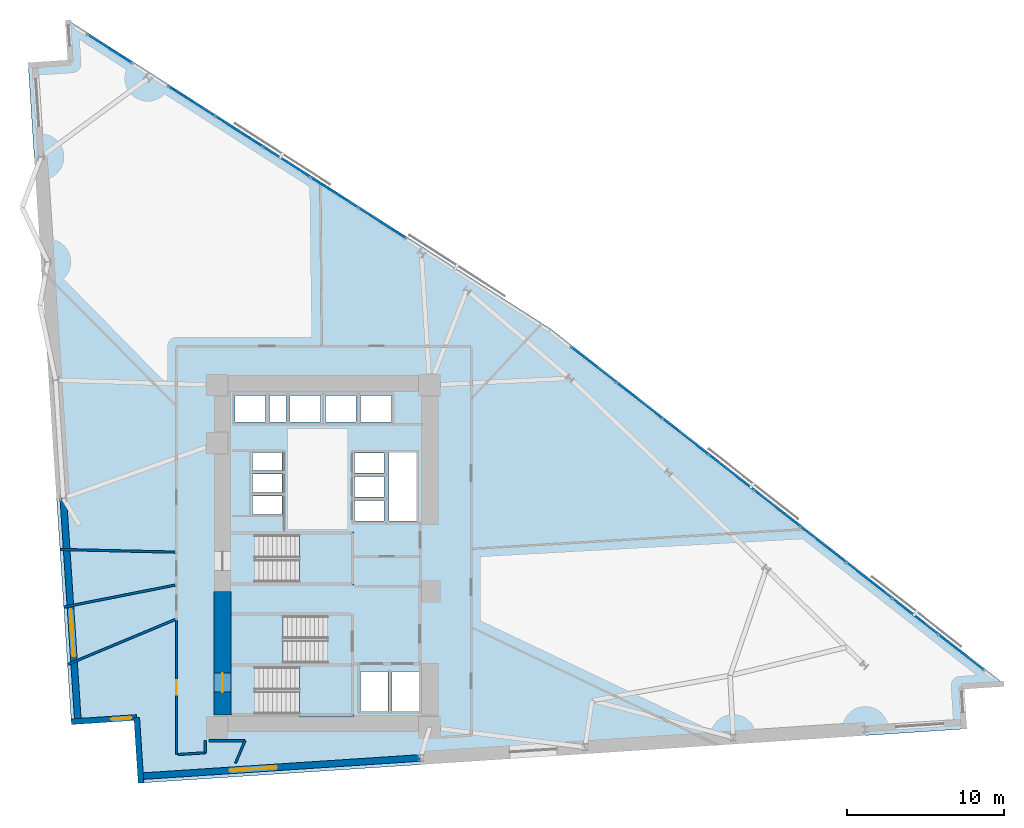
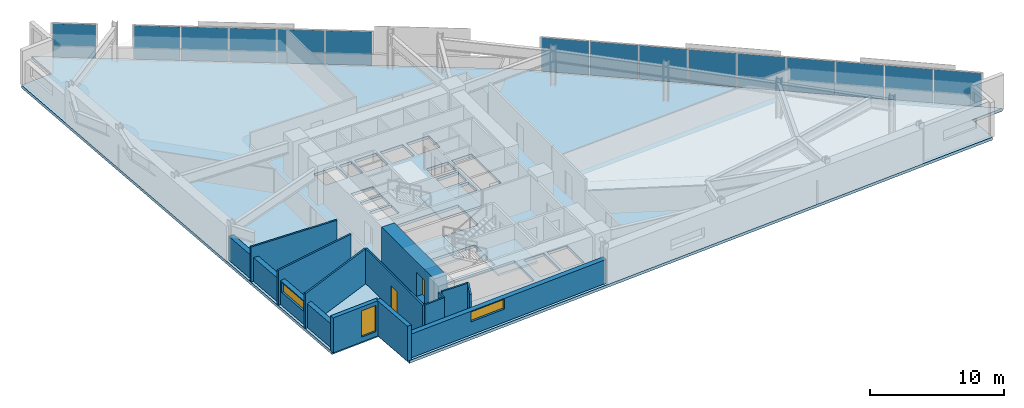
# One storey, part 10 of 15: 15 plates, 13 walls, 4 slabs, 3 windows, 2 doors, 5 openings, 6 elements without a shape of their own.
"""IFC4 building model written with IfcOpenShell, lengths in metres."""

from ifc_helpers import new_model, si_unit, direction, frame, frame_2d, origin, origin_2d, place, context, subcontext, project, spatial, polyline, rectangle, outline, extrude, material, layer, layer_set, type_object, element, fill, aggregate, save


model = new_model("IFC4")

# Units and contexts
model_context = context("Model", 3, precision=1e-05, world=origin(), true_north=direction((0.0, 1.0)))
body_context = subcontext(model_context, "Body", "Model", "MODEL_VIEW")
ifc_project = project(units=[si_unit("LENGTHUNIT", "METRE"), si_unit("AREAUNIT", "SQUARE_METRE"), si_unit("VOLUMEUNIT", "CUBIC_METRE"), si_unit("PLANEANGLEUNIT", "RADIAN"), si_unit("MASSUNIT", "GRAM", prefix="KILO")], contexts=[model_context])

# Site, building, storey
site_placement = place(None, origin())
site = spatial("IfcSite", under=ifc_project, at=site_placement, CompositionType="ELEMENT")
building_placement = place(site_placement, origin())
building = spatial("IfcBuilding", under=site, at=building_placement, Name="Narakoshi Arena Tower", CompositionType="ELEMENT")
storey_placement = place(building_placement, frame((0.0, 0.0, 92.10009765625)))
storey = spatial("IfcBuildingStorey", under=building, at=storey_placement, Name="L24", CompositionType="ELEMENT", Elevation=92.10009765625)

# Curtain wall, plates
ifc_material_1 = material(Name="Anodised bronze aluminium 6063-T6", Category="aluminium")
curtain_wall_type = type_object("IfcCurtainWallType", Name="CW-HYP-LOW", PredefinedType="NOTDEFINED", material=ifc_material_1)
curtain_wall_1_placement = place(storey_placement, origin())
curtain_wall_1 = element("IfcCurtainWall", 1, at=curtain_wall_1_placement, inside=storey, type_object=curtain_wall_type, Name="L24 Folded Hypotenuse Curtain Wall 1-1", PredefinedType="NOTDEFINED")
ifc_material_2 = material(Name="Bronze-tinted low-E laminated glass", Category="glass")
ifc_layer_1 = layer(ifc_material_2, 0.031982421875)
ifc_layer_set_1 = layer_set([ifc_layer_1], Name="Bronze-tinted low-E laminated glass")
plate_type = type_object("IfcPlateType", Name="PLT-GLZ-32", PredefinedType="CURTAIN_PANEL", material=ifc_layer_set_1)
plate_1_placement = place(storey_placement, frame((119.38427734375, 39.469970703125, 0.06494140625), z_axis=(0.0, 0.0, 1.0), x_axis=(-0.787388705321, 0.616456832822, 0.0)))
plate_1 = element("IfcPlate", 2, at=plate_1_placement, type_object=plate_type, Name="CW-01 panel 1.1", PredefinedType="CURTAIN_PANEL", context=body_context, shape_type="SweptSolid", body=[
    extrude(rectangle(XDim=3.603759765625, YDim=0.031982421875, at=origin_2d()), origin(), (0.0, 0.0, 1.0), 3.070068359375),
])
plate_2_placement = place(storey_placement, frame((116.472900390625, 41.749267578125, 0.06494140625), z_axis=(0.0, 0.0, 1.0), x_axis=(-0.787388705321, 0.616456832822, 0.0)))
plate_2 = element("IfcPlate", 3, at=plate_2_placement, type_object=plate_type, Name="CW-01 panel 2.1", PredefinedType="CURTAIN_PANEL", context=body_context, shape_type="SweptSolid", body=[
    extrude(rectangle(XDim=3.64111328125, YDim=0.031982421875, at=origin_2d()), origin(), (0.0, 0.0, 1.0), 3.070068359375),
])
plate_3_placement = place(storey_placement, frame((113.546875, 44.0400390625, 0.06494140625), z_axis=(0.0, 0.0, 1.0), x_axis=(-0.787388705321, 0.616456832822, 0.0)))
plate_3 = element("IfcPlate", 4, at=plate_3_placement, type_object=plate_type, Name="CW-01 panel 3.1", PredefinedType="CURTAIN_PANEL", context=body_context, shape_type="SweptSolid", body=[
    extrude(rectangle(XDim=3.64111328125, YDim=0.031982421875, at=origin_2d()), origin(), (0.0, 0.0, 1.0), 3.070068359375),
])
plate_4_placement = place(storey_placement, frame((110.620849609375, 46.3310546875, 0.06494140625), z_axis=(0.0, 0.0, 1.0), x_axis=(-0.787388705321, 0.616456832822, 0.0)))
plate_4 = element("IfcPlate", 5, at=plate_4_placement, type_object=plate_type, Name="CW-01 panel 4.1", PredefinedType="CURTAIN_PANEL", context=body_context, shape_type="SweptSolid", body=[
    extrude(rectangle(XDim=3.64111328125, YDim=0.031982421875, at=origin_2d()), origin(), (0.0, 0.0, 1.0), 3.070068359375),
])
plate_5_placement = place(storey_placement, frame((107.69482421875, 48.621826171875, 0.06494140625), z_axis=(0.0, 0.0, 1.0), x_axis=(-0.787388705321, 0.616456832822, 0.0)))
plate_5 = element("IfcPlate", 6, at=plate_5_placement, type_object=plate_type, Name="CW-01 panel 5.1", PredefinedType="CURTAIN_PANEL", context=body_context, shape_type="SweptSolid", body=[
    extrude(rectangle(XDim=3.64111328125, YDim=0.031982421875, at=origin_2d()), origin(), (0.0, 0.0, 1.0), 3.070068359375),
])
plate_6_placement = place(storey_placement, frame((104.768798828125, 50.91259765625, 0.06494140625), z_axis=(0.0, 0.0, 1.0), x_axis=(-0.787388705321, 0.616456832822, 0.0)))
plate_6 = element("IfcPlate", 7, at=plate_6_placement, type_object=plate_type, Name="CW-01 panel 6.1", PredefinedType="CURTAIN_PANEL", context=body_context, shape_type="SweptSolid", body=[
    extrude(rectangle(XDim=3.64111328125, YDim=0.031982421875, at=origin_2d()), origin(), (0.0, 0.0, 1.0), 3.070068359375),
])
plate_7_placement = place(storey_placement, frame((101.8427734375, 53.20361328125, 0.06494140625), z_axis=(0.0, 0.0, 1.0), x_axis=(-0.787388705321, 0.616456832822, 0.0)))
plate_7 = element("IfcPlate", 8, at=plate_7_placement, type_object=plate_type, Name="CW-01 panel 7.1", PredefinedType="CURTAIN_PANEL", context=body_context, shape_type="SweptSolid", body=[
    extrude(rectangle(XDim=3.64111328125, YDim=0.031982421875, at=origin_2d()), origin(), (0.0, 0.0, 1.0), 3.070068359375),
])
plate_8_placement = place(storey_placement, frame((98.91650390625, 55.494384765625, 0.06494140625), z_axis=(0.0, 0.0, 1.0), x_axis=(-0.787388705321, 0.616456832822, 0.0)))
plate_8 = element("IfcPlate", 9, at=plate_8_placement, type_object=plate_type, Name="CW-01 panel 8.1", PredefinedType="CURTAIN_PANEL", context=body_context, shape_type="SweptSolid", body=[
    extrude(rectangle(XDim=3.64111328125, YDim=0.031982421875, at=origin_2d()), origin(), (0.0, 0.0, 1.0), 3.070068359375),
])
plate_9_placement = place(storey_placement, frame((96.00537109375, 57.773681640625, 0.06494140625), z_axis=(0.0, 0.0, 1.0), x_axis=(-0.787388705321, 0.616456832822, 0.0)))
plate_9 = element("IfcPlate", 10, at=plate_9_placement, type_object=plate_type, Name="CW-01 panel 9.1", PredefinedType="CURTAIN_PANEL", context=body_context, shape_type="SweptSolid", body=[
    extrude(rectangle(XDim=3.603759765625, YDim=0.031982421875, at=origin_2d()), origin(), (0.0, 0.0, 1.0), 3.070068359375),
])
aggregate(curtain_wall_1, [plate_1, plate_2, plate_3, plate_4, plate_5, plate_6, plate_7, plate_8, plate_9])

curtain_wall_2_placement = place(storey_placement, origin())
curtain_wall_2 = element("IfcCurtainWall", 11, at=curtain_wall_2_placement, inside=storey, type_object=curtain_wall_type, Name="L24 Folded Hypotenuse Curtain Wall 2-1", PredefinedType="NOTDEFINED")
plate_10_placement = place(storey_placement, frame((82.501220703125, 66.814453125, 0.06494140625), z_axis=(0.0, 0.0, 1.0), x_axis=(-0.842414125835, 0.538830623288, 0.0)))
plate_10 = element("IfcPlate", 12, at=plate_10_placement, type_object=plate_type, Name="CW-01 panel 1.1", PredefinedType="CURTAIN_PANEL", context=body_context, shape_type="SweptSolid", body=[
    extrude(rectangle(XDim=3.492919921875, YDim=0.031982421875, at=origin_2d()), origin(), (0.0, 0.0, 1.0), 3.070068359375),
])
plate_11_placement = place(storey_placement, frame((79.479736328125, 68.7470703125, 0.06494140625), z_axis=(0.0, 0.0, 1.0), x_axis=(-0.842414125835, 0.538830623288, 0.0)))
plate_11 = element("IfcPlate", 13, at=plate_11_placement, type_object=plate_type, Name="CW-01 panel 2.1", PredefinedType="CURTAIN_PANEL", context=body_context, shape_type="SweptSolid", body=[
    extrude(rectangle(XDim=3.530517578125, YDim=0.031982421875, at=origin_2d()), origin(), (0.0, 0.0, 1.0), 3.070068359375),
])
plate_12_placement = place(storey_placement, frame((76.4423828125, 70.689697265625, 0.06494140625), z_axis=(0.0, 0.0, 1.0), x_axis=(-0.842414125835, 0.538830623288, 0.0)))
plate_12 = element("IfcPlate", 14, at=plate_12_placement, type_object=plate_type, Name="CW-01 panel 3.1", PredefinedType="CURTAIN_PANEL", context=body_context, shape_type="SweptSolid", body=[
    extrude(rectangle(XDim=3.530517578125, YDim=0.031982421875, at=origin_2d()), origin(), (0.0, 0.0, 1.0), 3.070068359375),
])
plate_13_placement = place(storey_placement, frame((73.4052734375, 72.63232421875, 0.06494140625), z_axis=(0.0, 0.0, 1.0), x_axis=(-0.842414125835, 0.538830623288, 0.0)))
plate_13 = element("IfcPlate", 15, at=plate_13_placement, type_object=plate_type, Name="CW-01 panel 4.1", PredefinedType="CURTAIN_PANEL", context=body_context, shape_type="SweptSolid", body=[
    extrude(rectangle(XDim=3.530517578125, YDim=0.031982421875, at=origin_2d()), origin(), (0.0, 0.0, 1.0), 3.070068359375),
])
plate_14_placement = place(storey_placement, frame((70.3837890625, 74.56494140625, 0.06494140625), z_axis=(0.0, 0.0, 1.0), x_axis=(-0.842414125835, 0.538830623288, 0.0)))
plate_14 = element("IfcPlate", 16, at=plate_14_placement, type_object=plate_type, Name="CW-01 panel 5.1", PredefinedType="CURTAIN_PANEL", context=body_context, shape_type="SweptSolid", body=[
    extrude(rectangle(XDim=3.492919921875, YDim=0.031982421875, at=origin_2d()), origin(), (0.0, 0.0, 1.0), 3.070068359375),
])
aggregate(curtain_wall_2, [plate_10, plate_11, plate_12, plate_13, plate_14])

# Curtain wall, plate
curtain_wall_3_placement = place(storey_placement, origin())
curtain_wall_3 = element("IfcCurtainWall", 17, at=curtain_wall_3_placement, inside=storey, type_object=curtain_wall_type, Name="L24 Folded Hypotenuse Curtain Wall 2-2", PredefinedType="NOTDEFINED")
plate_15_placement = place(storey_placement, frame((65.16015625, 77.90625, 0.06494140625), z_axis=(0.0, 0.0, 1.0), x_axis=(-0.842403740943, 0.538846858807, 0.0)))
plate_15 = element("IfcPlate", 18, at=plate_15_placement, type_object=plate_type, Name="CW-01 panel 1.1", PredefinedType="CURTAIN_PANEL", context=body_context, shape_type="SweptSolid", body=[
    extrude(rectangle(XDim=3.2939453125, YDim=0.031982421875, at=origin_2d()), origin(), (0.0, 0.0, 1.0), 3.070068359375),
])
aggregate(curtain_wall_3, [plate_15])

# Stair, slab
ifc_material_3 = material(Name="Concrete C45/55", Category="concrete")
stair_type = type_object("IfcStairType", Name="STR-CORE-360", PredefinedType="TWO_STRAIGHT_RUN_STAIR", material=ifc_material_3)
stair_1_placement = place(storey_placement, origin())
stair_1 = element("IfcStair", 19, at=stair_1_placement, inside=storey, type_object=stair_type, Name="L24 Core Escape Stair ST1", PredefinedType="TWO_STRAIGHT_RUN_STAIR")
ifc_layer_2 = layer(ifc_material_3, 0.18994140625)
ifc_layer_set_2 = layer_set([ifc_layer_2], Name="Concrete C45/55")
slab_type_1 = type_object("IfcSlabType", Name="SLB-LND-190", PredefinedType="LANDING", material=ifc_layer_set_2)
slab_1_placement = place(storey_placement, frame((0.0, 0.0, 1.60986328125)))
slab_1 = element("IfcSlab", 20, at=slab_1_placement, type_object=slab_type_1, Name="ST1 landing 1", PredefinedType="LANDING", context=body_context, shape_type="SweptSolid", body=[
    extrude(outline(polyline([(77.25, 35.3701171875), (80.679931640625, 35.3701171875), (80.679931640625, 38.72998046875), (77.25, 38.72998046875), (77.25, 35.3701171875)])), origin(), (0.0, 0.0, 1.0), 0.18994140625),
])
aggregate(stair_1, [slab_1])

stair_2_placement = place(storey_placement, origin())
stair_2 = element("IfcStair", 21, at=stair_2_placement, inside=storey, type_object=stair_type, Name="L24 Core Escape Stair ST2", PredefinedType="TWO_STRAIGHT_RUN_STAIR")
slab_2_placement = place(storey_placement, frame((0.0, 0.0, 1.60986328125)))
slab_2 = element("IfcSlab", 22, at=slab_2_placement, type_object=slab_type_1, Name="ST2 landing 1", PredefinedType="LANDING", context=body_context, shape_type="SweptSolid", body=[
    extrude(outline(polyline([(72.77001953125, 38.6201171875), (76.199951171875, 38.6201171875), (76.199951171875, 41.97998046875), (72.77001953125, 41.97998046875), (72.77001953125, 38.6201171875)])), origin(), (0.0, 0.0, 1.0), 0.18994140625),
])
aggregate(stair_2, [slab_2])

stair_3_placement = place(storey_placement, origin())
stair_3 = element("IfcStair", 23, at=stair_3_placement, inside=storey, type_object=stair_type, Name="L24 Core Escape Stair ST3", PredefinedType="TWO_STRAIGHT_RUN_STAIR")
slab_3_placement = place(storey_placement, frame((0.0, 0.0, 1.60986328125)))
slab_3 = element("IfcSlab", 24, at=slab_3_placement, type_object=slab_type_1, Name="ST3 landing 1", PredefinedType="LANDING", context=body_context, shape_type="SweptSolid", body=[
    extrude(outline(polyline([(77.25, 43.77001953125), (80.679931640625, 43.77001953125), (80.679931640625, 47.1298828125), (77.25, 47.1298828125), (77.25, 43.77001953125)])), origin(), (0.0, 0.0, 1.0), 0.18994140625),
])
aggregate(stair_3, [slab_3])

# Slab
ifc_material_4 = material(Name="Concrete C50/60", Category="concrete")
ifc_layer_3 = layer(ifc_material_4, 0.260009765625)
ifc_layer_set_3 = layer_set([ifc_layer_3], Name="Concrete C50/60")
slab_type_2 = type_object("IfcSlabType", Name="SLB-SKY-260", PredefinedType="FLOOR", material=ifc_layer_set_3)
slab_4_placement = place(storey_placement, frame((0.0, 0.0, -0.260009765625)))
element("IfcSlab", 25, at=slab_4_placement, inside=storey, type_object=slab_type_2, Name="L24 Structural Floor Slab", PredefinedType="FLOOR", context=body_context, shape_type="SweptSolid", body=[
    extrude(outline(polyline([(67.160888671875, 31.15869140625), (119.58447265625, 34.594482421875), (119.40673828125, 37.30517578125), (122.1171875, 37.48291015625), (93.26220703125, 60.07373046875), (62.5107421875, 79.743408203125), (62.688232421875, 77.03271484375), (59.977783203125, 76.85498046875), (62.717529296875, 35.055419921875), (66.887451171875, 35.32861328125), (67.160888671875, 31.15869140625)]), holes=[polyline([(74.47998046875, 35.550048828125), (74.47998046875, 38.550048828125), (80.5, 38.550048828125), (80.5, 35.550048828125), (74.47998046875, 35.550048828125)]), polyline([(81.14990234375, 35.75), (81.14990234375, 38.25), (82.89990234375, 38.25), (82.89990234375, 35.75), (81.14990234375, 35.75)]), polyline([(83.14990234375, 35.75), (83.14990234375, 38.25), (84.89990234375, 38.25), (84.89990234375, 35.75), (83.14990234375, 35.75)]), polyline([(72.949951171875, 38.800048828125), (72.949951171875, 41.800048828125), (78.969970703125, 41.800048828125), (78.969970703125, 38.800048828125), (72.949951171875, 38.800048828125)]), polyline([(74.47998046875, 43.949951171875), (74.47998046875, 46.949951171875), (80.5, 46.949951171875), (80.5, 43.949951171875), (74.47998046875, 43.949951171875)]), polyline([(82.949951171875, 47.840087890625), (82.949951171875, 52.199951171875), (84.699951171875, 52.199951171875), (84.699951171875, 47.840087890625), (82.949951171875, 47.840087890625)]), polyline([(80.75, 47.85009765625), (80.75, 49.14990234375), (82.64990234375, 49.14990234375), (82.64990234375, 47.85009765625), (80.75, 47.85009765625)]), polyline([(74.25, 48.25), (74.25, 49.449951171875), (76.14990234375, 49.449951171875), (76.14990234375, 48.25), (74.25, 48.25)]), polyline([(80.75, 49.3701171875), (80.75, 50.669921875), (82.64990234375, 50.669921875), (82.64990234375, 49.3701171875), (80.75, 49.3701171875)]), polyline([(74.25, 49.64990234375), (74.25, 50.85009765625), (76.14990234375, 50.85009765625), (76.14990234375, 49.64990234375), (74.25, 49.64990234375)]), polyline([(80.75, 50.889892578125), (80.75, 52.18994140625), (82.64990234375, 52.18994140625), (82.64990234375, 50.889892578125), (80.75, 50.889892578125)]), polyline([(74.25, 51.050048828125), (74.25, 52.2099609375), (76.14990234375, 52.2099609375), (76.14990234375, 51.050048828125), (74.25, 51.050048828125)]), polyline([(73.14990234375, 54.14990234375), (73.14990234375, 55.85009765625), (75.10009765625, 55.85009765625), (75.10009765625, 54.14990234375), (73.14990234375, 54.14990234375)]), polyline([(75.35009765625, 54.14990234375), (75.35009765625, 55.85009765625), (76.39990234375, 55.85009765625), (76.39990234375, 54.14990234375), (75.35009765625, 54.14990234375)]), polyline([(76.64990234375, 54.14990234375), (76.64990234375, 55.85009765625), (78.60009765625, 55.85009765625), (78.60009765625, 54.14990234375), (76.64990234375, 54.14990234375)]), polyline([(78.89990234375, 55.85009765625), (80.85009765625, 55.85009765625), (80.85009765625, 54.14990234375), (78.89990234375, 54.14990234375), (78.89990234375, 55.85009765625)]), polyline([(81.14990234375, 55.85009765625), (83.10009765625, 55.85009765625), (83.10009765625, 54.14990234375), (81.14990234375, 54.14990234375), (81.14990234375, 55.85009765625)])]), origin(), (0.0, 0.0, 1.0), 0.260009765625),
])

# Wall, opening, door
ifc_material_5 = material(Name="Concrete C60/75", Category="concrete")
ifc_layer_4 = layer(ifc_material_5, 1.10009765625)
ifc_layer_set_4 = layer_set([ifc_layer_4], Name="Concrete C60/75")
wall_type_1 = type_object("IfcWallType", Name="WL-CORE-1100", PredefinedType="SHEAR", material=ifc_layer_set_4)
wall_1_placement = place(storey_placement, frame((72.35009765625, 35.5, -0.260009765625), z_axis=(0.0, 0.0, 1.0), x_axis=(0.0, 1.0, 0.0)))
wall_1 = element("IfcWall", 26, at=wall_1_placement, inside=storey, type_object=wall_type_1, Name="L24 Central Core Shear Wall CW-APX-W", PredefinedType="SHEAR", context=body_context, shape_type="SweptSolid", body=[
    extrude(rectangle(XDim=7.85009765625, YDim=1.10009765625, at=frame_2d((3.925048828125, 0.0))), origin(), (0.0, 0.0, 1.0), 3.4599609375),
])
opening_1_placement = place(wall_1_placement, frame((1.449951171875, 0.0, 0.260009765625)))
opening_1 = element("IfcOpeningElement", 27, at=opening_1_placement, cuts=wall_1, Name="Opening D-03", PredefinedType="OPENING", context=body_context, shape_type="SweptSolid", body=[
    extrude(rectangle(XDim=1.199951171875, YDim=2.199951171875, at=frame_2d((0.60009765625, 1.10009765625))), frame((0.0, 0.56005859375, 0.0), z_axis=(0.0, -1.0, 0.0), x_axis=(1.0, 0.0, 0.0)), (0.0, 0.0, 1.0), 1.1201171875),
])
ifc_material_6 = material(Name="Painted galvanized steel", Category="steel")
door_type_1 = type_object("IfcDoorType", Name="DR-STR-1200", OperationType="NOTDEFINED", PredefinedType="USERDEFINED", material=ifc_material_6)
door_1_placement = place(opening_1_placement, frame((1.199951171875, 0.0, 0.0), z_axis=(0.0, 0.0, 1.0), x_axis=(-1.0, 0.0, 0.0)))
door_1 = element("IfcDoor", 28, at=door_1_placement, inside=storey, type_object=door_type_1, Name="DR-L24-001", ObjectType="EXITDOOR", OperationType="SINGLE_SWING_LEFT", OverallHeight=2.199951171875, OverallWidth=1.199951171875, PredefinedType="USERDEFINED", context=body_context, shape_type="SweptSolid", body=[
    extrude(rectangle(XDim=1.199951171875, YDim=2.199951171875, at=frame_2d((0.60009765625, 1.10009765625))), frame((0.0, 0.02490234375, 0.0), z_axis=(0.0, -1.0, 0.0), x_axis=(1.0, 0.0, 0.0)), (0.0, 0.0, 1.0), 0.050048828125),
])
fill(opening_1, door_1)

# Wall, opening, window
ifc_material_7 = material(Name="Precast concrete C45/55", Category="concrete")
ifc_layer_5 = layer(ifc_material_7, 0.419921875)
ifc_layer_set_5 = layer_set([ifc_layer_5], Name="Precast concrete C45/55")
wall_type_2 = type_object("IfcWallType", Name="WL-POD-420", PredefinedType="SOLIDWALL", material=ifc_layer_set_5)
wall_2_placement = place(storey_placement, frame((67.133056640625, 31.582763671875, 0.0), z_axis=(0.0, 0.0, 1.0), x_axis=(0.997859040617, 0.065401338356, 0.0)))
wall_2 = element("IfcWall", 29, at=wall_2_placement, inside=storey, type_object=wall_type_2, Name="L24 Architectural Concrete Facade Wall LEGA-1", PredefinedType="SOLIDWALL", context=body_context, shape_type="SweptSolid", body=[
    extrude(rectangle(XDim=17.8623046875, YDim=0.419921875, at=frame_2d((8.93115234375, 0.0))), origin(), (0.0, 0.0, 1.0), 2.177001953125),
])
opening_2_placement = place(wall_2_placement, frame((5.699951171875, 0.0, 1.197021484375)))
opening_2 = element("IfcOpeningElement", 30, at=opening_2_placement, cuts=wall_2, Name="Opening WN-03", PredefinedType="OPENING", context=body_context, shape_type="SweptSolid", body=[
    extrude(rectangle(XDim=3.0, YDim=0.89990234375, at=frame_2d((1.5, 0.449951171875))), frame((0.0, 0.219970703125, 0.0), z_axis=(0.0, -1.0, 0.0), x_axis=(1.0, 0.0, 0.0)), (0.0, 0.0, 1.0), 0.43994140625),
])
window_type_1 = type_object("IfcWindowType", Name="WIN-SLT-30x09", PartitioningType="SINGLE_PANEL", PredefinedType="WINDOW", material=ifc_material_2)
window_1_placement = place(opening_2_placement, origin())
window_1 = element("IfcWindow", 31, at=window_1_placement, inside=storey, type_object=window_type_1, Name="L24 LEGA1 Horizontal Slot Window 1", OverallHeight=0.89990234375, OverallWidth=3.0, PartitioningType="SINGLE_PANEL", PredefinedType="WINDOW", context=body_context, shape_type="SweptSolid", body=[
    extrude(rectangle(XDim=3.0, YDim=0.89990234375, at=frame_2d((1.5, 0.449951171875))), frame((0.0, 0.030029296875, 0.0), z_axis=(0.0, -1.0, 0.0), x_axis=(1.0, 0.0, 0.0)), (0.0, 0.0, 1.0), 0.06005859375),
])
fill(opening_2, window_1)

wall_3_placement = place(storey_placement, frame((62.210205078125, 49.294921875, 0.0), z_axis=(0.0, 0.0, 1.0), x_axis=(0.065396027757, -0.997859388668, 0.0)))
wall_3 = element("IfcWall", 32, at=wall_3_placement, inside=storey, type_object=wall_type_2, Name="L24 Architectural Concrete Facade Wall LEGB-3", PredefinedType="SOLIDWALL", context=body_context, shape_type="SweptSolid", body=[
    extrude(rectangle(XDim=14.242431640625, YDim=0.419921875, at=frame_2d((7.12109375, 0.0))), origin(), (0.0, 0.0, 1.0), 2.177001953125),
])
opening_3_placement = place(wall_3_placement, frame((7.10009765625, 0.0, 1.197021484375)))
opening_3 = element("IfcOpeningElement", 33, at=opening_3_placement, cuts=wall_3, Name="Opening WN-03", PredefinedType="OPENING", context=body_context, shape_type="SweptSolid", body=[
    extrude(rectangle(XDim=3.0, YDim=0.89990234375, at=frame_2d((1.5, 0.449951171875))), frame((0.0, 0.219970703125, 0.0), z_axis=(0.0, -1.0, 0.0), x_axis=(1.0, 0.0, 0.0)), (0.0, 0.0, 1.0), 0.43994140625),
])
window_2_placement = place(opening_3_placement, origin())
window_2 = element("IfcWindow", 34, at=window_2_placement, inside=storey, type_object=window_type_1, Name="L24 LEGB3 Horizontal Slot Window 1", OverallHeight=0.89990234375, OverallWidth=3.0, PartitioningType="SINGLE_PANEL", PredefinedType="WINDOW", context=body_context, shape_type="SweptSolid", body=[
    extrude(rectangle(XDim=3.0, YDim=0.89990234375, at=frame_2d((1.5, 0.449951171875))), frame((0.0, 0.030029296875, 0.0), z_axis=(0.0, -1.0, 0.0), x_axis=(1.0, 0.0, 0.0)), (0.0, 0.0, 1.0), 0.06005859375),
])
fill(opening_3, window_2)

wall_4_placement = place(storey_placement, frame((62.717529296875, 35.055419921875, 0.0), z_axis=(0.0, 0.0, 1.0), x_axis=(0.997860761953, 0.065375069826, 0.0)))
wall_4 = element("IfcWall", 35, at=wall_4_placement, inside=storey, type_object=wall_type_2, Name="L24 Re-Entrant Corner Notch Wall NTA-1", PredefinedType="SOLIDWALL", context=body_context, shape_type="SweptSolid", body=[
    extrude(rectangle(XDim=4.178955078125, YDim=0.360107421875, at=frame_2d((2.08935546875, 0.0))), origin(), (0.0, 0.0, 1.0), 3.199951171875),
])
opening_4_placement = place(wall_4_placement, frame((2.5390625, 0.0, 0.449951171875)))
opening_4 = element("IfcOpeningElement", 36, at=opening_4_placement, cuts=wall_4, Name="Opening WN-06", PredefinedType="OPENING", context=body_context, shape_type="SweptSolid", body=[
    extrude(rectangle(XDim=1.300048828125, YDim=2.39990234375, at=frame_2d((0.64990234375, 1.199951171875))), frame((0.0, 0.18994140625, 0.0), z_axis=(0.0, -1.0, 0.0), x_axis=(1.0, 0.0, 0.0)), (0.0, 0.0, 1.0), 0.380126953125),
])
window_type_2 = type_object("IfcWindowType", Name="WIN-NTC-16x24", PartitioningType="SINGLE_PANEL", PredefinedType="WINDOW", material=ifc_material_2)
window_3_placement = place(opening_4_placement, origin())
window_3 = element("IfcWindow", 37, at=window_3_placement, inside=storey, type_object=window_type_2, Name="L24 Corner Notch Window NTA", OverallHeight=2.39990234375, OverallWidth=1.300048828125, PartitioningType="SINGLE_PANEL", PredefinedType="WINDOW", context=body_context, shape_type="SweptSolid", body=[
    extrude(rectangle(XDim=1.300048828125, YDim=2.39990234375, at=frame_2d((0.64990234375, 1.199951171875))), frame((0.0, 0.030029296875, 0.0), z_axis=(0.0, -1.0, 0.0), x_axis=(1.0, 0.0, 0.0)), (0.0, 0.0, 1.0), 0.06005859375),
])
fill(opening_4, window_3)

# Walls
wall_5_placement = place(storey_placement, frame((66.887451171875, 35.32861328125, 0.0), z_axis=(0.0, 0.0, 1.0), x_axis=(0.065433242561, -0.99785694905, 0.0)))
element("IfcWall", 38, at=wall_5_placement, inside=storey, type_object=wall_type_2, Name="L24 Re-Entrant Corner Notch Wall NTA-2", PredefinedType="SOLIDWALL", context=body_context, shape_type="SweptSolid", body=[
    extrude(rectangle(XDim=4.178955078125, YDim=0.360107421875, at=frame_2d((2.08935546875, 0.0))), origin(), (0.0, 0.0, 1.0), 3.199951171875),
])
ifc_material_8 = material(Name="Moisture-resistant cement-board partition")
ifc_layer_6 = layer(ifc_material_8, 0.14501953125)
ifc_layer_set_6 = layer_set([ifc_layer_6], Name="Moisture-resistant cement-board partition")
wall_type_3 = type_object("IfcWallType", Name="WL-WET-145", PredefinedType="PARTITIONING", material=ifc_layer_set_6)
wall_6_placement = place(storey_placement, frame((69.33056640625, 43.760498046875, 0.0), z_axis=(0.0, 0.0, 1.0), x_axis=(-0.981010832882, -0.193952947303, 0.0)))
element("IfcWall", 39, at=wall_6_placement, inside=storey, type_object=wall_type_3, Name="L24 Inter-Room Partition 01-02", PredefinedType="PARTITIONING", context=body_context, shape_type="SweptSolid", body=[
    extrude(rectangle(XDim=7.22900390625, YDim=0.14501953125, at=frame_2d((3.614501953125, 0.0))), origin(), (0.0, 0.0, 1.0), 3.199951171875),
])
wall_7_placement = place(storey_placement, frame((61.998291015625, 46.028564453125, 0.0), z_axis=(0.0, 0.0, 1.0), x_axis=(0.999736411954, -0.022958802544, 0.0)))
element("IfcWall", 40, at=wall_7_placement, inside=storey, type_object=wall_type_3, Name="L24 Inter-Room Partition 01-09", PredefinedType="PARTITIONING", context=body_context, shape_type="SweptSolid", body=[
    extrude(rectangle(XDim=7.358642578125, YDim=0.14501953125, at=frame_2d((3.67919921875, 0.0))), origin(), (0.0, 0.0, 1.0), 3.199951171875),
])
wall_8_placement = place(storey_placement, frame((69.354736328125, 41.5751953125, 0.0), z_axis=(0.0, 0.0, 1.0), x_axis=(-0.922720806937, -0.385468951338, 0.0)))
element("IfcWall", 41, at=wall_8_placement, inside=storey, type_object=wall_type_3, Name="L24 Inter-Room Partition 02-03", PredefinedType="PARTITIONING", context=body_context, shape_type="SweptSolid", body=[
    extrude(rectangle(XDim=7.4521484375, YDim=0.14501953125, at=frame_2d((3.72607421875, 0.0))), origin(), (0.0, 0.0, 1.0), 3.199951171875),
])

# Wall, opening, door
wall_9_placement = place(storey_placement, frame((69.4150390625, 41.50830078125, 0.0), z_axis=(0.0, 0.0, 1.0), x_axis=(0.0, -1.0, 0.0)))
wall_9 = element("IfcWall", 42, at=wall_9_placement, inside=storey, type_object=wall_type_3, Name="L24 Corridor Partition 03-1", PredefinedType="PARTITIONING", context=body_context, shape_type="SweptSolid", body=[
    extrude(rectangle(XDim=8.54833984375, YDim=0.14501953125, at=frame_2d((4.274169921875, 0.0))), origin(), (0.0, 0.0, 1.0), 3.199951171875),
])
opening_5_placement = place(wall_9_placement, frame((3.82421875, 0.0, 0.0)))
opening_5 = element("IfcOpeningElement", 43, at=opening_5_placement, cuts=wall_9, Name="Opening D-08", PredefinedType="OPENING", context=body_context, shape_type="SweptSolid", body=[
    extrude(rectangle(XDim=0.89990234375, YDim=2.10009765625, at=frame_2d((0.449951171875, 1.050048828125))), frame((0.0, 0.08251953125, 0.0), z_axis=(0.0, -1.0, 0.0), x_axis=(1.0, 0.0, 0.0)), (0.0, 0.0, 1.0), 0.1650390625),
])
ifc_material_9 = material(Name="Moisture-resistant laminate timber", Category="wood")
door_type_2 = type_object("IfcDoorType", Name="DR-WC-900", OperationType="NOTDEFINED", PredefinedType="DOOR", material=ifc_material_9)
door_2_placement = place(opening_5_placement, frame((0.89990234375, 0.0, 0.0), z_axis=(0.0, 0.0, 1.0), x_axis=(-1.0, 0.0, 0.0)))
door_2 = element("IfcDoor", 44, at=door_2_placement, inside=storey, type_object=door_type_2, Name="DR-L24-018", OperationType="SINGLE_SWING_RIGHT", OverallHeight=2.10009765625, OverallWidth=0.89990234375, PredefinedType="DOOR", context=body_context, shape_type="SweptSolid", body=[
    extrude(rectangle(XDim=0.89990234375, YDim=2.10009765625, at=frame_2d((0.449951171875, 1.050048828125))), frame((0.0, 0.02490234375, 0.0), z_axis=(0.0, -1.0, 0.0), x_axis=(1.0, 0.0, 0.0)), (0.0, 0.0, 1.0), 0.050048828125),
])
fill(opening_5, door_2)

# Walls
wall_10_placement = place(storey_placement, frame((69.49951171875, 32.96533203125, 0.0), z_axis=(0.0, 0.0, 1.0), x_axis=(0.99785843845, 0.065410525254, 0.0)))
element("IfcWall", 45, at=wall_10_placement, inside=storey, type_object=wall_type_3, Name="L24 Corridor Partition 03-2", PredefinedType="PARTITIONING", context=body_context, shape_type="SweptSolid", body=[
    extrude(rectangle(XDim=1.754150390625, YDim=0.14501953125, at=frame_2d((0.876953125, 0.0))), origin(), (0.0, 0.0, 1.0), 3.199951171875),
])
wall_11_placement = place(storey_placement, frame((71.25, 33.080078125, 0.0), z_axis=(0.0, 0.0, 1.0), x_axis=(0.0, 1.0, 0.0)))
element("IfcWall", 46, at=wall_11_placement, inside=storey, type_object=wall_type_3, Name="L24 Corridor Partition 03-3", PredefinedType="PARTITIONING", context=body_context, shape_type="SweptSolid", body=[
    extrude(rectangle(XDim=0.77001953125, YDim=0.14501953125, at=frame_2d((0.385009765625, 0.0))), origin(), (0.0, 0.0, 1.0), 3.199951171875),
])
wall_12_placement = place(storey_placement, frame((71.482421875, 33.85009765625, 0.0), z_axis=(0.0, 0.0, 1.0), x_axis=(1.0, 0.0, 0.0)))
element("IfcWall", 47, at=wall_12_placement, inside=storey, type_object=wall_type_3, Name="L24 Room Enclosure Partition 03-1", PredefinedType="PARTITIONING", context=body_context, shape_type="SweptSolid", body=[
    extrude(rectangle(XDim=2.304931640625, YDim=0.14501953125, at=frame_2d((1.15234375, 0.0))), origin(), (0.0, 0.0, 1.0), 3.199951171875),
])
wall_13_placement = place(storey_placement, frame((73.787353515625, 33.85009765625, 0.0), z_axis=(0.0, 0.0, 1.0), x_axis=(-0.391602924405, -0.920134310629, 0.0)))
element("IfcWall", 48, at=wall_13_placement, inside=storey, type_object=wall_type_3, Name="L24 Room Enclosure Partition 03-2", PredefinedType="PARTITIONING", context=body_context, shape_type="SweptSolid", body=[
    extrude(rectangle(XDim=1.5654296875, YDim=0.14501953125, at=frame_2d((0.78271484375, 0.0))), origin(), (0.0, 0.0, 1.0), 3.199951171875),
])

save(model, "model.ifc")
